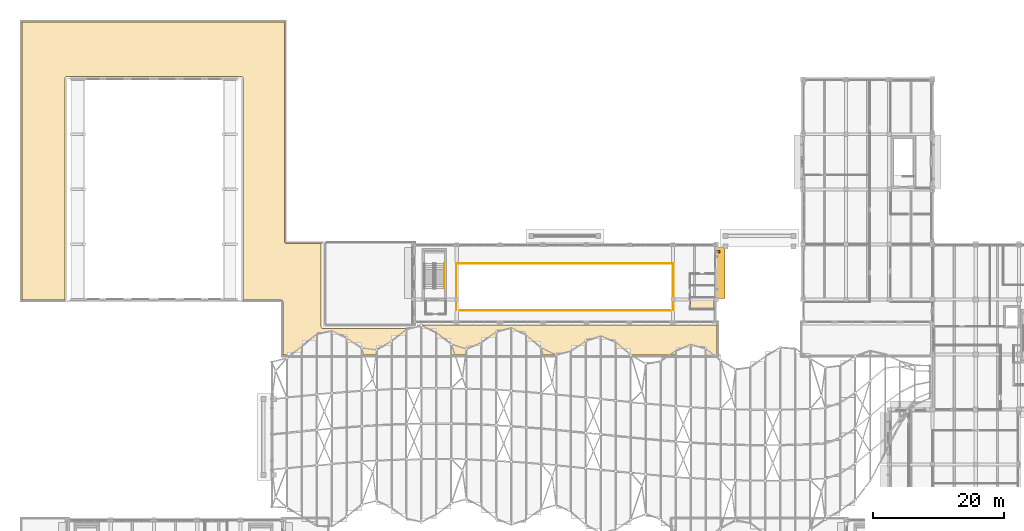
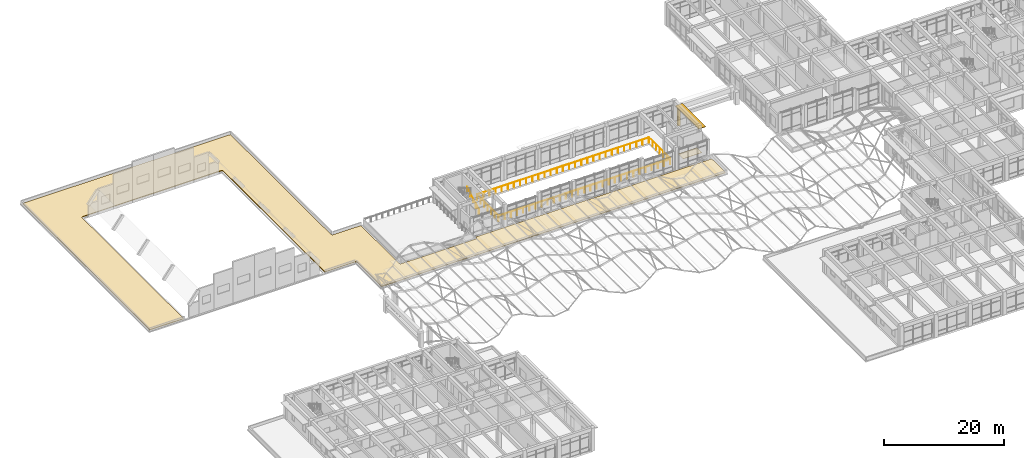
# One storey, part 73 of 79: 5 railings, 2 coverings, 2 shading devices.
"""IFC4 building model written with IfcOpenShell, lengths in metres."""

from ifc_helpers import new_model, si_unit, direction, frame, origin, origin_2d, place, context, subcontext, project, spatial, polyline, rectangle, circle, outline, extrude, material, layer, layer_set, type_object, element, save


model = new_model("IFC4")

# Units and contexts
model_context = context("Model", 3, precision=1e-05, world=origin(), true_north=direction((0.0, 1.0)))
body_context = subcontext(model_context, "Body", "Model", "MODEL_VIEW")
ifc_project = project(units=[si_unit("LENGTHUNIT", "METRE"), si_unit("AREAUNIT", "SQUARE_METRE"), si_unit("VOLUMEUNIT", "CUBIC_METRE"), si_unit("PLANEANGLEUNIT", "RADIAN"), si_unit("MASSUNIT", "GRAM", prefix="KILO")], contexts=[model_context])

# Site, building, storey
site_placement = place(None, origin())
site = spatial("IfcSite", under=ifc_project, at=site_placement, CompositionType="ELEMENT")
building_placement = place(site_placement, origin())
building = spatial("IfcBuilding", under=site, at=building_placement, Name="Kolvaren Faculty of Natural Sciences", CompositionType="ELEMENT")
storey_placement = place(building_placement, frame((0.0, 0.0, 10.199951171875)))
storey = spatial("IfcBuildingStorey", under=building, at=storey_placement, Name="L02", CompositionType="ELEMENT", Elevation=10.199951171875)

# Shading devices
ifc_material_1 = material(Name="Precast concrete C35/45", Category="concrete")
ifc_layer_1 = layer(ifc_material_1, 0.1201171875)
ifc_layer_set_1 = layer_set([ifc_layer_1], Name="Precast concrete C35/45")
shading_device_type_1 = type_object("IfcShadingDeviceType", Name="ChhajjaSolarHood_1350", PredefinedType="AWNING", material=ifc_layer_set_1)
shading_device_1_placement = place(storey_placement, frame((106.455078125, 79.85009765625, 3.695068359375), z_axis=(0.0, 0.0, 1.0), x_axis=(0.0, -1.0, 0.0)))
element("IfcShadingDevice", 1, at=shading_device_1_placement, inside=storey, type_object=shading_device_type_1, Name="L02 precast sandstone chhajja solar hood 109", PredefinedType="AWNING", context=body_context, shape_type="SweptSolid", body=[
    extrude(rectangle(XDim=7.800048828125, YDim=1.35009765625, at=origin_2d()), origin(), (0.0, 0.0, 1.0), 0.1201171875),
])
ifc_layer_2 = layer(ifc_material_1, 0.280029296875)
ifc_layer_set_2 = layer_set([ifc_layer_2], Name="Precast concrete C35/45")
shading_device_type_2 = type_object("IfcShadingDeviceType", Name="FacadeReliefFin_280x520", PredefinedType="USERDEFINED", material=ifc_layer_set_2)
shading_device_2_placement = place(storey_placement, frame((106.0400390625, 83.050048828125, 0.1201171875), z_axis=(0.0, 0.0, 1.0), x_axis=(0.0, -1.0, 0.0)))
element("IfcShadingDevice", 2, at=shading_device_2_placement, inside=storey, type_object=shading_device_type_2, Name="L02 projecting sandstone facade relief fin 4", ObjectType="FIN", PredefinedType="USERDEFINED", context=body_context, shape_type="SweptSolid", body=[
    extrude(rectangle(XDim=0.280029296875, YDim=0.52001953125, at=origin_2d()), origin(), (0.0, 0.0, 1.0), 3.655029296875),
])

# Railings
ifc_material_2 = material(Name="Structural steel EN 10210-1 S355J2H", Category="steel")
ifc_layer_3 = layer(ifc_material_2, 0.048095703125)
ifc_layer_set_3 = layer_set([ifc_layer_3], Name="Structural steel EN 10210-1 S355J2H")
railing_type_1 = type_object("IfcRailingType", Name="GuardRailing_GDVOID1", PredefinedType="BALUSTRADE", material=ifc_layer_set_3)
railing_1_placement = place(storey_placement, frame((99.199951171875, 74.1201171875, 0.0)))
element("IfcRailing", 3, at=railing_1_placement, inside=storey, type_object=railing_type_1, Name="L02 atrium void balustrade 30", PredefinedType="BALUSTRADE", context=body_context, shape_type="SweptSolid", body=[
    extrude(circle(Radius=0.02392578125, at=origin_2d()), frame((0.0, 0.0, 1.09619140625), z_axis=(-1.0, 0.0, 0.0), x_axis=(0.0, -1.0, 0.0)), (0.0, 0.0, 1.0), 33.0),
    extrude(circle(Radius=0.02099609375, at=origin_2d()), origin(), (0.0, 0.0, 1.0), 1.072021484375),
    extrude(circle(Radius=0.02099609375, at=origin_2d()), frame((-1.178466796875, 0.0, 0.0)), (0.0, 0.0, 1.0), 1.072021484375),
    extrude(circle(Radius=0.02099609375, at=origin_2d()), frame((-2.357177734375, 0.0, 0.0)), (0.0, 0.0, 1.0), 1.072021484375),
    extrude(circle(Radius=0.02099609375, at=origin_2d()), frame((-3.53564453125, 0.0, 0.0)), (0.0, 0.0, 1.0), 1.072021484375),
    extrude(circle(Radius=0.02099609375, at=origin_2d()), frame((-4.71435546875, 0.0, 0.0)), (0.0, 0.0, 1.0), 1.072021484375),
    extrude(circle(Radius=0.02099609375, at=origin_2d()), frame((-5.892822265625, 0.0, 0.0)), (0.0, 0.0, 1.0), 1.072021484375),
    extrude(circle(Radius=0.02099609375, at=origin_2d()), frame((-7.071533203125, 0.0, 0.0)), (0.0, 0.0, 1.0), 1.072021484375),
    extrude(circle(Radius=0.02099609375, at=origin_2d()), frame((-8.25, 0.0, 0.0)), (0.0, 0.0, 1.0), 1.072021484375),
    extrude(circle(Radius=0.02099609375, at=origin_2d()), frame((-9.428466796875, 0.0, 0.0)), (0.0, 0.0, 1.0), 1.072021484375),
    extrude(circle(Radius=0.02099609375, at=origin_2d()), frame((-10.607177734375, 0.0, 0.0)), (0.0, 0.0, 1.0), 1.072021484375),
    extrude(circle(Radius=0.02099609375, at=origin_2d()), frame((-11.78564453125, 0.0, 0.0)), (0.0, 0.0, 1.0), 1.072021484375),
    extrude(circle(Radius=0.02099609375, at=origin_2d()), frame((-12.96435546875, 0.0, 0.0)), (0.0, 0.0, 1.0), 1.072021484375),
    extrude(circle(Radius=0.02099609375, at=origin_2d()), frame((-14.142822265625, 0.0, 0.0)), (0.0, 0.0, 1.0), 1.072021484375),
    extrude(circle(Radius=0.02099609375, at=origin_2d()), frame((-15.321533203125, 0.0, 0.0)), (0.0, 0.0, 1.0), 1.072021484375),
    extrude(circle(Radius=0.02099609375, at=origin_2d()), frame((-16.5, 0.0, 0.0)), (0.0, 0.0, 1.0), 1.072021484375),
    extrude(circle(Radius=0.02099609375, at=origin_2d()), frame((-17.678466796875, 0.0, 0.0)), (0.0, 0.0, 1.0), 1.072021484375),
    extrude(circle(Radius=0.02099609375, at=origin_2d()), frame((-18.857177734375, 0.0, 0.0)), (0.0, 0.0, 1.0), 1.072021484375),
    extrude(circle(Radius=0.02099609375, at=origin_2d()), frame((-20.03564453125, 0.0, 0.0)), (0.0, 0.0, 1.0), 1.072021484375),
    extrude(circle(Radius=0.02099609375, at=origin_2d()), frame((-21.21435546875, 0.0, 0.0)), (0.0, 0.0, 1.0), 1.072021484375),
    extrude(circle(Radius=0.02099609375, at=origin_2d()), frame((-22.392822265625, 0.0, 0.0)), (0.0, 0.0, 1.0), 1.072021484375),
    extrude(circle(Radius=0.02099609375, at=origin_2d()), frame((-23.571533203125, 0.0, 0.0)), (0.0, 0.0, 1.0), 1.072021484375),
    extrude(circle(Radius=0.02099609375, at=origin_2d()), frame((-24.75, 0.0, 0.0)), (0.0, 0.0, 1.0), 1.072021484375),
    extrude(circle(Radius=0.02099609375, at=origin_2d()), frame((-25.928466796875, 0.0, 0.0)), (0.0, 0.0, 1.0), 1.072021484375),
    extrude(circle(Radius=0.02099609375, at=origin_2d()), frame((-27.107177734375, 0.0, 0.0)), (0.0, 0.0, 1.0), 1.072021484375),
    extrude(circle(Radius=0.02099609375, at=origin_2d()), frame((-28.28564453125, 0.0, 0.0)), (0.0, 0.0, 1.0), 1.072021484375),
    extrude(circle(Radius=0.02099609375, at=origin_2d()), frame((-29.46435546875, 0.0, 0.0)), (0.0, 0.0, 1.0), 1.072021484375),
    extrude(circle(Radius=0.02099609375, at=origin_2d()), frame((-30.642822265625, 0.0, 0.0)), (0.0, 0.0, 1.0), 1.072021484375),
    extrude(circle(Radius=0.02099609375, at=origin_2d()), frame((-31.821533203125, 0.0, 0.0)), (0.0, 0.0, 1.0), 1.072021484375),
    extrude(circle(Radius=0.02099609375, at=origin_2d()), frame((-33.0, 0.0, 0.0)), (0.0, 0.0, 1.0), 1.072021484375),
])
railing_2_placement = place(storey_placement, frame((66.1201171875, 74.199951171875, 0.0)))
element("IfcRailing", 4, at=railing_2_placement, inside=storey, type_object=railing_type_1, Name="L02 atrium void balustrade 31", PredefinedType="BALUSTRADE", context=body_context, shape_type="SweptSolid", body=[
    extrude(circle(Radius=0.02392578125, at=origin_2d()), frame((0.0, 0.0, 1.09619140625), z_axis=(0.0, 1.0, 0.0), x_axis=(-1.0, 0.0, 0.0)), (0.0, 0.0, 1.0), 7.0),
    extrude(circle(Radius=0.02099609375, at=origin_2d()), origin(), (0.0, 0.0, 1.0), 1.072021484375),
    extrude(circle(Radius=0.02099609375, at=origin_2d()), frame((0.0, 1.166748046875, 0.0)), (0.0, 0.0, 1.0), 1.072021484375),
    extrude(circle(Radius=0.02099609375, at=origin_2d()), frame((0.0, 2.333251953125, 0.0)), (0.0, 0.0, 1.0), 1.072021484375),
    extrude(circle(Radius=0.02099609375, at=origin_2d()), frame((0.0, 3.5, 0.0)), (0.0, 0.0, 1.0), 1.072021484375),
    extrude(circle(Radius=0.02099609375, at=origin_2d()), frame((0.0, 4.666748046875, 0.0)), (0.0, 0.0, 1.0), 1.072021484375),
    extrude(circle(Radius=0.02099609375, at=origin_2d()), frame((0.0, 5.833251953125, 0.0)), (0.0, 0.0, 1.0), 1.072021484375),
    extrude(circle(Radius=0.02099609375, at=origin_2d()), frame((0.0, 7.0, 0.0)), (0.0, 0.0, 1.0), 1.072021484375),
])
railing_3_placement = place(storey_placement, frame((66.199951171875, 81.280029296875, 0.0)))
element("IfcRailing", 5, at=railing_3_placement, inside=storey, type_object=railing_type_1, Name="L02 atrium void balustrade 32", PredefinedType="BALUSTRADE", context=body_context, shape_type="SweptSolid", body=[
    extrude(circle(Radius=0.02392578125, at=origin_2d()), frame((0.0, 0.0, 1.09619140625), z_axis=(1.0, 0.0, 0.0), x_axis=(0.0, 1.0, 0.0)), (0.0, 0.0, 1.0), 33.0),
    extrude(circle(Radius=0.02099609375, at=origin_2d()), origin(), (0.0, 0.0, 1.0), 1.072021484375),
    extrude(circle(Radius=0.02099609375, at=origin_2d()), frame((1.178466796875, 0.0, 0.0)), (0.0, 0.0, 1.0), 1.072021484375),
    extrude(circle(Radius=0.02099609375, at=origin_2d()), frame((2.357177734375, 0.0, 0.0)), (0.0, 0.0, 1.0), 1.072021484375),
    extrude(circle(Radius=0.02099609375, at=origin_2d()), frame((3.53564453125, 0.0, 0.0)), (0.0, 0.0, 1.0), 1.072021484375),
    extrude(circle(Radius=0.02099609375, at=origin_2d()), frame((4.71435546875, 0.0, 0.0)), (0.0, 0.0, 1.0), 1.072021484375),
    extrude(circle(Radius=0.02099609375, at=origin_2d()), frame((5.892822265625, 0.0, 0.0)), (0.0, 0.0, 1.0), 1.072021484375),
    extrude(circle(Radius=0.02099609375, at=origin_2d()), frame((7.071533203125, 0.0, 0.0)), (0.0, 0.0, 1.0), 1.072021484375),
    extrude(circle(Radius=0.02099609375, at=origin_2d()), frame((8.25, 0.0, 0.0)), (0.0, 0.0, 1.0), 1.072021484375),
    extrude(circle(Radius=0.02099609375, at=origin_2d()), frame((9.428466796875, 0.0, 0.0)), (0.0, 0.0, 1.0), 1.072021484375),
    extrude(circle(Radius=0.02099609375, at=origin_2d()), frame((10.607177734375, 0.0, 0.0)), (0.0, 0.0, 1.0), 1.072021484375),
    extrude(circle(Radius=0.02099609375, at=origin_2d()), frame((11.78564453125, 0.0, 0.0)), (0.0, 0.0, 1.0), 1.072021484375),
    extrude(circle(Radius=0.02099609375, at=origin_2d()), frame((12.96435546875, 0.0, 0.0)), (0.0, 0.0, 1.0), 1.072021484375),
    extrude(circle(Radius=0.02099609375, at=origin_2d()), frame((14.142822265625, 0.0, 0.0)), (0.0, 0.0, 1.0), 1.072021484375),
    extrude(circle(Radius=0.02099609375, at=origin_2d()), frame((15.321533203125, 0.0, 0.0)), (0.0, 0.0, 1.0), 1.072021484375),
    extrude(circle(Radius=0.02099609375, at=origin_2d()), frame((16.5, 0.0, 0.0)), (0.0, 0.0, 1.0), 1.072021484375),
    extrude(circle(Radius=0.02099609375, at=origin_2d()), frame((17.678466796875, 0.0, 0.0)), (0.0, 0.0, 1.0), 1.072021484375),
    extrude(circle(Radius=0.02099609375, at=origin_2d()), frame((18.857177734375, 0.0, 0.0)), (0.0, 0.0, 1.0), 1.072021484375),
    extrude(circle(Radius=0.02099609375, at=origin_2d()), frame((20.03564453125, 0.0, 0.0)), (0.0, 0.0, 1.0), 1.072021484375),
    extrude(circle(Radius=0.02099609375, at=origin_2d()), frame((21.21435546875, 0.0, 0.0)), (0.0, 0.0, 1.0), 1.072021484375),
    extrude(circle(Radius=0.02099609375, at=origin_2d()), frame((22.392822265625, 0.0, 0.0)), (0.0, 0.0, 1.0), 1.072021484375),
    extrude(circle(Radius=0.02099609375, at=origin_2d()), frame((23.571533203125, 0.0, 0.0)), (0.0, 0.0, 1.0), 1.072021484375),
    extrude(circle(Radius=0.02099609375, at=origin_2d()), frame((24.75, 0.0, 0.0)), (0.0, 0.0, 1.0), 1.072021484375),
    extrude(circle(Radius=0.02099609375, at=origin_2d()), frame((25.928466796875, 0.0, 0.0)), (0.0, 0.0, 1.0), 1.072021484375),
    extrude(circle(Radius=0.02099609375, at=origin_2d()), frame((27.107177734375, 0.0, 0.0)), (0.0, 0.0, 1.0), 1.072021484375),
    extrude(circle(Radius=0.02099609375, at=origin_2d()), frame((28.28564453125, 0.0, 0.0)), (0.0, 0.0, 1.0), 1.072021484375),
    extrude(circle(Radius=0.02099609375, at=origin_2d()), frame((29.46435546875, 0.0, 0.0)), (0.0, 0.0, 1.0), 1.072021484375),
    extrude(circle(Radius=0.02099609375, at=origin_2d()), frame((30.642822265625, 0.0, 0.0)), (0.0, 0.0, 1.0), 1.072021484375),
    extrude(circle(Radius=0.02099609375, at=origin_2d()), frame((31.821533203125, 0.0, 0.0)), (0.0, 0.0, 1.0), 1.072021484375),
    extrude(circle(Radius=0.02099609375, at=origin_2d()), frame((33.0, 0.0, 0.0)), (0.0, 0.0, 1.0), 1.072021484375),
])
railing_4_placement = place(storey_placement, frame((99.280029296875, 81.199951171875, 0.0)))
element("IfcRailing", 6, at=railing_4_placement, inside=storey, type_object=railing_type_1, Name="L02 atrium void balustrade 33", PredefinedType="BALUSTRADE", context=body_context, shape_type="SweptSolid", body=[
    extrude(circle(Radius=0.02392578125, at=origin_2d()), frame((0.0, 0.0, 1.09619140625), z_axis=(0.0, -1.0, 0.0), x_axis=(1.0, 0.0, 0.0)), (0.0, 0.0, 1.0), 7.0),
    extrude(circle(Radius=0.02099609375, at=origin_2d()), origin(), (0.0, 0.0, 1.0), 1.072021484375),
    extrude(circle(Radius=0.02099609375, at=origin_2d()), frame((0.0, -1.166748046875, 0.0)), (0.0, 0.0, 1.0), 1.072021484375),
    extrude(circle(Radius=0.02099609375, at=origin_2d()), frame((0.0, -2.333251953125, 0.0)), (0.0, 0.0, 1.0), 1.072021484375),
    extrude(circle(Radius=0.02099609375, at=origin_2d()), frame((0.0, -3.5, 0.0)), (0.0, 0.0, 1.0), 1.072021484375),
    extrude(circle(Radius=0.02099609375, at=origin_2d()), frame((0.0, -4.666748046875, 0.0)), (0.0, 0.0, 1.0), 1.072021484375),
    extrude(circle(Radius=0.02099609375, at=origin_2d()), frame((0.0, -5.833251953125, 0.0)), (0.0, 0.0, 1.0), 1.072021484375),
    extrude(circle(Radius=0.02099609375, at=origin_2d()), frame((0.0, -7.0, 0.0)), (0.0, 0.0, 1.0), 1.072021484375),
])

# Covering
ifc_material_3 = material(Name="SBS polymer-modified bitumen waterproofing membrane over PIR insulation")
ifc_layer_4 = layer(ifc_material_3, 0.139892578125)
ifc_layer_set_4 = layer_set([ifc_layer_4], Name="SBS polymer-modified bitumen waterproofing membrane over PIR insulation")
covering_type_1 = type_object("IfcCoveringType", Name="InsulatedRoofMembrane_140", PredefinedType="ROOFING", material=ifc_layer_set_4)
covering_1_placement = place(storey_placement, origin())
element("IfcCovering", 7, at=covering_1_placement, inside=storey, type_object=covering_type_1, Name="L02 insulated warm-roof waterproofing membrane 1", PredefinedType="ROOFING", context=body_context, shape_type="SweptSolid", body=[
    extrude(outline(polyline([(6.401611328125, 75.68994140625), (-0.110107421875, 75.68994140625), (-0.110107421875, 118.110107421875), (39.909912109375, 118.110107421875), (39.909912109375, 84.6298828125), (39.91162109375, 84.5986328125), (39.916015625, 84.567626953125), (39.923828125, 84.537109375), (39.934326171875, 84.507568359375), (39.94775390625, 84.479248046875), (39.9638671875, 84.4521484375), (39.982666015625, 84.427001953125), (40.003662109375, 84.40380859375), (40.027099609375, 84.382568359375), (40.05224609375, 84.364013671875), (40.0791015625, 84.347900390625), (40.107421875, 84.33447265625), (40.13720703125, 84.32373046875), (40.16748046875, 84.316162109375), (40.198486328125, 84.3115234375), (40.22998046875, 84.31005859375), (45.530029296875, 84.31005859375), (45.530029296875, 71.64990234375), (45.531494140625, 71.61865234375), (45.5361328125, 71.587646484375), (45.543701171875, 71.55712890625), (45.554443359375, 71.527587890625), (45.56787109375, 71.499267578125), (45.583984375, 71.47216796875), (45.6025390625, 71.447021484375), (45.623779296875, 71.423583984375), (45.64697265625, 71.402587890625), (45.672119140625, 71.3837890625), (45.69921875, 71.367919921875), (45.7275390625, 71.3544921875), (45.757080078125, 71.34375), (45.78759765625, 71.336181640625), (45.818603515625, 71.33154296875), (45.85009765625, 71.330078125), (60.14990234375, 71.330078125), (60.181396484375, 71.33154296875), (60.21240234375, 71.336181640625), (60.242919921875, 71.34375), (60.2724609375, 71.3544921875), (60.30078125, 71.367919921875), (60.327880859375, 71.3837890625), (60.35302734375, 71.402587890625), (60.376220703125, 71.423583984375), (60.3974609375, 71.447021484375), (60.416015625, 71.47216796875), (60.43212890625, 71.499267578125), (60.445556640625, 71.527587890625), (60.456298828125, 71.55712890625), (60.4638671875, 71.587646484375), (60.468505859375, 71.61865234375), (60.469970703125, 71.64990234375), (60.469970703125, 71.860107421875), (105.800048828125, 71.860107421875), (105.81591796875, 71.8603515625), (105.818115234375, 71.860595703125), (105.851806640625, 71.864013671875), (105.853759765625, 71.8642578125), (105.88525390625, 71.870849609375), (105.88720703125, 71.871337890625), (105.902099609375, 71.875732421875), (105.904052734375, 71.87646484375), (105.909912109375, 71.87841796875), (105.909912109375, 67.2900390625), (39.68994140625, 67.2900390625), (39.68994140625, 75.3701171875), (39.6884765625, 75.4013671875), (39.683837890625, 75.432373046875), (39.67626953125, 75.462890625), (39.66552734375, 75.492431640625), (39.652099609375, 75.520751953125), (39.635986328125, 75.5478515625), (39.617431640625, 75.572998046875), (39.59619140625, 75.59619140625), (39.572998046875, 75.617431640625), (39.5478515625, 75.635986328125), (39.520751953125, 75.652099609375), (39.492431640625, 75.66552734375), (39.462890625, 75.67626953125), (39.432373046875, 75.683837890625), (39.4013671875, 75.6884765625), (39.3701171875, 75.68994140625), (33.598388671875, 75.68994140625), (33.60009765625, 75.719970703125), (33.60009765625, 109.47998046875), (33.598388671875, 109.511474609375), (33.593994140625, 109.54248046875), (33.586181640625, 109.572998046875), (33.57568359375, 109.6025390625), (33.562255859375, 109.630859375), (33.546142578125, 109.65771484375), (33.52734375, 109.68310546875), (33.50634765625, 109.706298828125), (33.48291015625, 109.727294921875), (33.457763671875, 109.74609375), (33.430908203125, 109.76220703125), (33.402587890625, 109.775634765625), (33.372802734375, 109.7861328125), (33.34228515625, 109.7939453125), (33.311279296875, 109.798583984375), (33.280029296875, 109.800048828125), (6.719970703125, 109.800048828125), (6.688720703125, 109.798583984375), (6.65771484375, 109.7939453125), (6.627197265625, 109.7861328125), (6.597412109375, 109.775634765625), (6.569091796875, 109.76220703125), (6.542236328125, 109.74609375), (6.51708984375, 109.727294921875), (6.49365234375, 109.706298828125), (6.47265625, 109.68310546875), (6.453857421875, 109.65771484375), (6.437744140625, 109.630859375), (6.42431640625, 109.6025390625), (6.413818359375, 109.572998046875), (6.406005859375, 109.54248046875), (6.401611328125, 109.511474609375), (6.39990234375, 109.47998046875), (6.39990234375, 75.719970703125), (6.401611328125, 75.68994140625)])), origin(), (0.0, 0.0, 1.0), 0.14013671875),
])

# Railing
ifc_layer_5 = layer(ifc_material_2, 0.048095703125)
ifc_layer_set_5 = layer_set([ifc_layer_5], Name="Structural steel EN 10210-1 S355J2H")
railing_type_2 = type_object("IfcRailingType", Name="StairPitchHandrail_920", PredefinedType="HANDRAIL", material=ifc_layer_set_5)
railing_5_placement = place(storey_placement, frame((64.300048828125, 77.449951171875, 0.17138671875)))
element("IfcRailing", 8, at=railing_5_placement, inside=storey, type_object=railing_type_2, Name="L02 ST-6 stair handrail 1", PredefinedType="HANDRAIL", context=body_context, shape_type="SweptSolid", body=[
    extrude(circle(Radius=0.02392578125, at=origin_2d()), frame((0.0, 0.0, 0.8759765625), z_axis=(0.0, 0.864592272851, 0.502474080651), x_axis=(-1.0, 0.0, 0.0)), (0.0, 0.0, 1.0), 4.435546875),
    extrude(circle(Radius=0.02099609375, at=origin_2d()), origin(), (0.0, 0.0, 1.0), 0.851806640625),
    extrude(circle(Radius=0.02099609375, at=origin_2d()), frame((0.0, 0.958740234375, 0.55712890625)), (0.0, 0.0, 1.0), 0.851806640625),
    extrude(circle(Radius=0.02099609375, at=origin_2d()), frame((0.0, 1.91748046875, 1.1142578125)), (0.0, 0.0, 1.0), 0.851806640625),
    extrude(circle(Radius=0.02099609375, at=origin_2d()), frame((0.0, 2.876220703125, 1.671630859375)), (0.0, 0.0, 1.0), 0.851806640625),
    extrude(circle(Radius=0.02099609375, at=origin_2d()), frame((0.0, 3.8349609375, 2.228759765625)), (0.0, 0.0, 1.0), 0.851806640625),
])

# Covering
ifc_material_4 = material(Name="Polished Uruguayan grey granite terrazzo flooring", Category="masonry")
ifc_layer_6 = layer(ifc_material_4, 0.030029296875)
ifc_layer_set_6 = layer_set([ifc_layer_6], Name="Polished Uruguayan grey granite terrazzo flooring")
covering_type_2 = type_object("IfcCoveringType", Name="TerrazzoFloorFinish_30", PredefinedType="FLOORING", material=ifc_layer_set_6)
covering_2_placement = place(storey_placement, origin())
element("IfcCovering", 9, at=covering_2_placement, inside=storey, type_object=covering_type_2, Name="L02 L02 Male WC floor finish", PredefinedType="FLOORING", context=body_context, shape_type="SweptSolid", body=[
    extrude(outline(polyline([(101.860107421875, 76.0400390625), (105.43994140625, 76.0400390625), (105.43994140625, 74.360107421875), (101.860107421875, 74.360107421875), (101.860107421875, 76.0400390625)])), origin(), (0.0, 0.0, 1.0), 0.030029296875),
])

save(model, "model.ifc")
